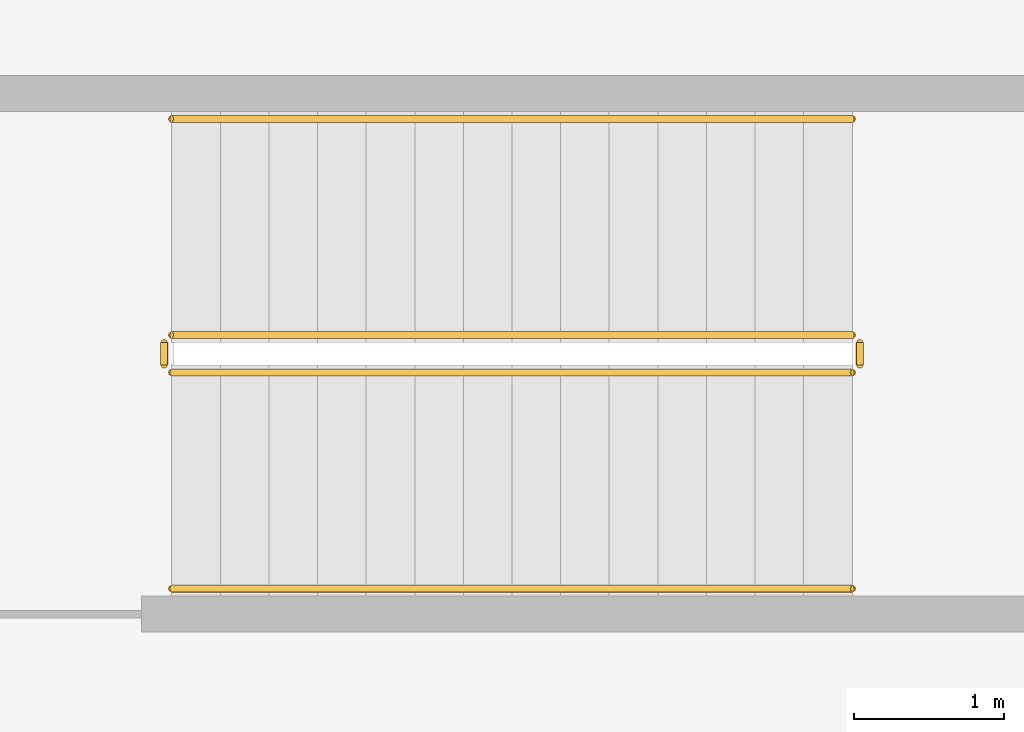
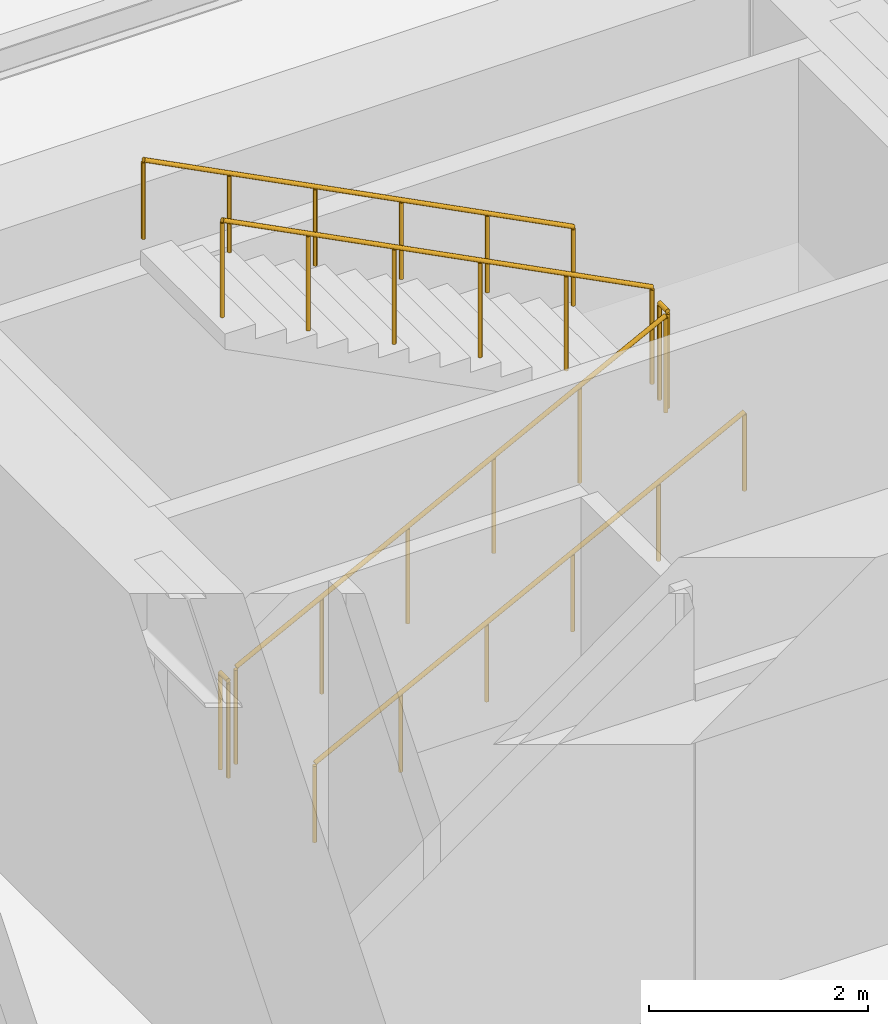
# One storey, part 10 of 12: 6 railings.
"""IFC4 building model written with IfcOpenShell, lengths in metres."""

from ifc_helpers import new_model, si_unit, direction, frame, origin, origin_2d, place, context, subcontext, project, spatial, circle, extrude, material, type_object, element, save


model = new_model("IFC4")

# Units and contexts
model_context = context("Model", 3, precision=1e-05, world=origin(), true_north=direction((0.0, 1.0)))
body_context = subcontext(model_context, "Body", "Model", "MODEL_VIEW")
ifc_project = project(units=[si_unit("LENGTHUNIT", "METRE"), si_unit("AREAUNIT", "SQUARE_METRE"), si_unit("VOLUMEUNIT", "CUBIC_METRE"), si_unit("PLANEANGLEUNIT", "RADIAN"), si_unit("MASSUNIT", "GRAM", prefix="KILO")], contexts=[model_context])

# Site, building, storey
site_placement = place(None, origin())
site = spatial("IfcSite", under=ifc_project, at=site_placement, CompositionType="ELEMENT")
building_placement = place(site_placement, origin())
building = spatial("IfcBuilding", under=site, at=building_placement, Name="Kolvaren Arena Tower", CompositionType="ELEMENT")
storey_placement = place(building_placement, frame((0.0, 0.0, -5.0)))
storey = spatial("IfcBuildingStorey", under=building, at=storey_placement, Name="B01", CompositionType="ELEMENT", Elevation=-5.0)

# Railings
ifc_material_1 = material(Name="Painted galvanized steel", Category="steel")
railing_type_1 = type_object("IfcRailingType", Name="GUARD-ST-110", PredefinedType="GUARDRAIL", material=ifc_material_1)
railing_1_placement = place(storey_placement, frame((16.719970703125, 30.389892578125, 0.166748046875)))
element("IfcRailing", 1, at=railing_1_placement, inside=storey, type_object=railing_type_1, Name="B01 ST-W1 stair guard 1", PredefinedType="GUARDRAIL", context=body_context, shape_type="SweptSolid", body=[
    extrude(circle(Radius=0.02392578125, at=origin_2d()), frame((0.0, 0.0, 1.076171875), z_axis=(0.889257211316, 0.0, 0.457407490234), x_axis=(0.0, 1.0, 0.0)), (0.0, 0.0, 1.0), 5.10107421875),
    extrude(circle(Radius=0.02099609375, at=origin_2d()), origin(), (0.0, 0.0, 1.0), 1.052001953125),
    extrude(circle(Radius=0.02099609375, at=origin_2d()), frame((0.9072265625, 0.0, 0.466552734375)), (0.0, 0.0, 1.0), 1.052001953125),
    extrude(circle(Radius=0.02099609375, at=origin_2d()), frame((1.814453125, 0.0, 0.933349609375)), (0.0, 0.0, 1.0), 1.052001953125),
    extrude(circle(Radius=0.02099609375, at=origin_2d()), frame((2.7216796875, 0.0, 1.39990234375)), (0.0, 0.0, 1.0), 1.052001953125),
    extrude(circle(Radius=0.02099609375, at=origin_2d()), frame((3.62890625, 0.0, 1.86669921875)), (0.0, 0.0, 1.0), 1.052001953125),
    extrude(circle(Radius=0.02099609375, at=origin_2d()), frame((4.5361328125, 0.0, 2.333251953125)), (0.0, 0.0, 1.0), 1.052001953125),
])
railing_2_placement = place(storey_placement, frame((21.305908203125, 30.43994140625, 2.5)))
element("IfcRailing", 2, at=railing_2_placement, inside=storey, type_object=railing_type_1, Name="B01 ST-W1 stair guard 2", PredefinedType="GUARDRAIL", context=body_context, shape_type="SweptSolid", body=[
    extrude(circle(Radius=0.02392578125, at=origin_2d()), frame((0.0, 0.0, 1.076171875), z_axis=(0.0, 1.0, 0.0), x_axis=(-1.0, 0.0, 0.0)), (0.0, 0.0, 1.0), 0.150146484375),
    extrude(circle(Radius=0.02099609375, at=origin_2d()), origin(), (0.0, 0.0, 1.0), 1.052001953125),
    extrude(circle(Radius=0.02099609375, at=origin_2d()), frame((0.0, 0.150146484375, 0.0)), (0.0, 0.0, 1.0), 1.052001953125),
])
railing_3_placement = place(storey_placement, frame((21.256103515625, 30.639892578125, 2.666748046875)))
element("IfcRailing", 3, at=railing_3_placement, inside=storey, type_object=railing_type_1, Name="B01 ST-W1 stair guard 3", PredefinedType="GUARDRAIL", context=body_context, shape_type="SweptSolid", body=[
    extrude(circle(Radius=0.02392578125, at=origin_2d()), frame((0.0, 0.0, 1.076171875), z_axis=(-0.889257211316, 0.0, 0.457407490234), x_axis=(0.0, -1.0, 0.0)), (0.0, 0.0, 1.0), 5.10107421875),
    extrude(circle(Radius=0.02099609375, at=origin_2d()), origin(), (0.0, 0.0, 1.0), 1.052001953125),
    extrude(circle(Radius=0.02099609375, at=origin_2d()), frame((-0.9072265625, 0.0, 0.466552734375)), (0.0, 0.0, 1.0), 1.052001953125),
    extrude(circle(Radius=0.02099609375, at=origin_2d()), frame((-1.814453125, 0.0, 0.933349609375)), (0.0, 0.0, 1.0), 1.052001953125),
    extrude(circle(Radius=0.02099609375, at=origin_2d()), frame((-2.7216796875, 0.0, 1.39990234375)), (0.0, 0.0, 1.0), 1.052001953125),
    extrude(circle(Radius=0.02099609375, at=origin_2d()), frame((-3.62890625, 0.0, 1.86669921875)), (0.0, 0.0, 1.0), 1.052001953125),
    extrude(circle(Radius=0.02099609375, at=origin_2d()), frame((-4.5361328125, 0.0, 2.333251953125)), (0.0, 0.0, 1.0), 1.052001953125),
])
railing_4_placement = place(storey_placement, frame((16.669921875, 30.43994140625, 0.0)))
element("IfcRailing", 4, at=railing_4_placement, inside=storey, type_object=railing_type_1, Name="B01 ST-W1 stair guard 4", PredefinedType="GUARDRAIL", context=body_context, shape_type="SweptSolid", body=[
    extrude(circle(Radius=0.02392578125, at=origin_2d()), frame((0.0, 0.0, 1.076171875), z_axis=(0.0, 1.0, 0.0), x_axis=(-1.0, 0.0, 0.0)), (0.0, 0.0, 1.0), 0.150146484375),
    extrude(circle(Radius=0.02099609375, at=origin_2d()), origin(), (0.0, 0.0, 1.0), 1.052001953125),
    extrude(circle(Radius=0.02099609375, at=origin_2d()), frame((0.0, 0.150146484375, 0.0)), (0.0, 0.0, 1.0), 1.052001953125),
])
ifc_material_2 = material(Name="Brushed stainless steel handrail", Category="steel")
railing_type_2 = type_object("IfcRailingType", Name="HRAIL-900", PredefinedType="HANDRAIL", material=ifc_material_2)
railing_5_placement = place(storey_placement, frame((16.719970703125, 28.949951171875, 0.166748046875)))
element("IfcRailing", 5, at=railing_5_placement, inside=storey, type_object=railing_type_2, Name="B01 ST-W1 stair handrail 1", PredefinedType="HANDRAIL", context=body_context, shape_type="SweptSolid", body=[
    extrude(circle(Radius=0.02392578125, at=origin_2d()), frame((0.0, 0.0, 0.8759765625), z_axis=(0.889257211316, 0.0, 0.457407490234), x_axis=(0.0, 1.0, 0.0)), (0.0, 0.0, 1.0), 5.10107421875),
    extrude(circle(Radius=0.02099609375, at=origin_2d()), origin(), (0.0, 0.0, 1.0), 0.851806640625),
    extrude(circle(Radius=0.02099609375, at=origin_2d()), frame((0.9072265625, 0.0, 0.466552734375)), (0.0, 0.0, 1.0), 0.851806640625),
    extrude(circle(Radius=0.02099609375, at=origin_2d()), frame((1.814453125, 0.0, 0.933349609375)), (0.0, 0.0, 1.0), 0.851806640625),
    extrude(circle(Radius=0.02099609375, at=origin_2d()), frame((2.7216796875, 0.0, 1.39990234375)), (0.0, 0.0, 1.0), 0.851806640625),
    extrude(circle(Radius=0.02099609375, at=origin_2d()), frame((3.62890625, 0.0, 1.86669921875)), (0.0, 0.0, 1.0), 0.851806640625),
    extrude(circle(Radius=0.02099609375, at=origin_2d()), frame((4.5361328125, 0.0, 2.333251953125)), (0.0, 0.0, 1.0), 0.851806640625),
])
railing_6_placement = place(storey_placement, frame((21.256103515625, 32.080078125, 2.666748046875)))
element("IfcRailing", 6, at=railing_6_placement, inside=storey, type_object=railing_type_2, Name="B01 ST-W1 stair handrail 2", PredefinedType="HANDRAIL", context=body_context, shape_type="SweptSolid", body=[
    extrude(circle(Radius=0.02392578125, at=origin_2d()), frame((0.0, 0.0, 0.8759765625), z_axis=(-0.889257211316, 0.0, 0.457407490234), x_axis=(0.0, -1.0, 0.0)), (0.0, 0.0, 1.0), 5.10107421875),
    extrude(circle(Radius=0.02099609375, at=origin_2d()), origin(), (0.0, 0.0, 1.0), 0.851806640625),
    extrude(circle(Radius=0.02099609375, at=origin_2d()), frame((-0.9072265625, 0.0, 0.466552734375)), (0.0, 0.0, 1.0), 0.851806640625),
    extrude(circle(Radius=0.02099609375, at=origin_2d()), frame((-1.814453125, 0.0, 0.933349609375)), (0.0, 0.0, 1.0), 0.851806640625),
    extrude(circle(Radius=0.02099609375, at=origin_2d()), frame((-2.7216796875, 0.0, 1.39990234375)), (0.0, 0.0, 1.0), 0.851806640625),
    extrude(circle(Radius=0.02099609375, at=origin_2d()), frame((-3.62890625, 0.0, 1.86669921875)), (0.0, 0.0, 1.0), 0.851806640625),
    extrude(circle(Radius=0.02099609375, at=origin_2d()), frame((-4.5361328125, 0.0, 2.333251953125)), (0.0, 0.0, 1.0), 0.851806640625),
])

save(model, "model.ifc")
